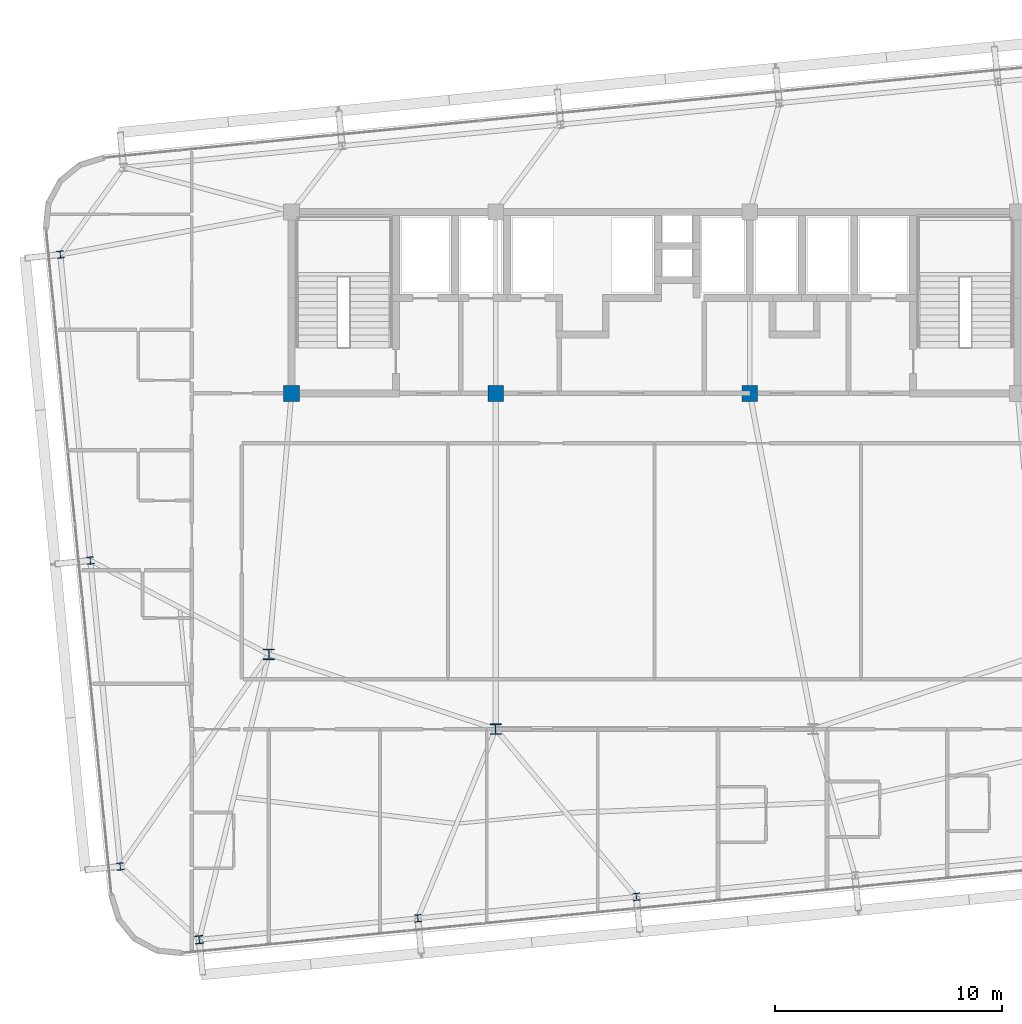
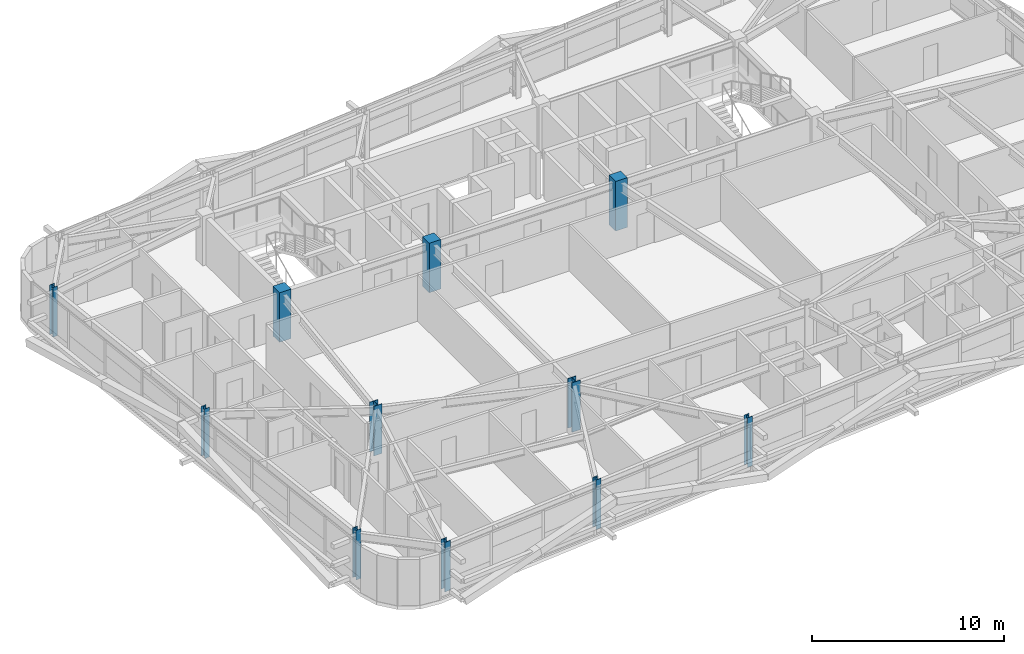
# One storey, part 1 of 53: 11 columns.
"""IFC4 building model written with IfcOpenShell, lengths in metres."""

import ifcopenshell
import ifcopenshell.guid

model = None  # the IFC model being written
_history = None  # IfcOwnerHistory: only IFC2X3 demands one
_inside = {}  # id of a spatial element -> (the spatial element, [elements in it])
_under = {}  # id of a project, library or spatial element -> (it, [spatial elements below it])
_declared = {}  # id of a project -> (the project, [libraries it declares])
_typed = {}  # id of a type object -> (the type object, [elements of that type])
_made_of = {}  # id of a material, layer set ... -> (it, [elements and type objects made of it])


def new_model(schema):
    """Start an empty IFC model of exactly this schema.

    Asked for "IFC4X3", IfcOpenShell would pick the latest addendum, in which some entities
    have other attributes; the version numbers below select the first issue.
    IFC2X3 requires an IfcOwnerHistory on every rooted entity: one is made here for all.
    """
    global model, _history
    if schema == "IFC4X3":
        model = ifcopenshell.file(schema_version=(4, 3, 0, 0))
    else:
        model = ifcopenshell.file(schema=schema)
    _inside.clear()
    _under.clear()
    _declared.clear()
    _typed.clear()
    _made_of.clear()
    _history = None
    if model.schema == "IFC2X3":
        org = make("IfcOrganization", Name="unknown")
        user = make(
            "IfcPersonAndOrganization",
            ThePerson=make("IfcPerson", FamilyName="unknown"),
            TheOrganization=org,
        )
        app = make(
            "IfcApplication",
            ApplicationDeveloper=org,
            Version="unknown",
            ApplicationFullName="unknown",
            ApplicationIdentifier="unknown",
        )
        _history = make(
            "IfcOwnerHistory",
            OwningUser=user,
            OwningApplication=app,
            ChangeAction="ADDED",
            CreationDate=0,
        )
    return model


def make(cls, **values):
    """One entity of the class cls with the attributes given. An attribute that is None is left unset."""
    return model.create_entity(
        cls, **{name: value for name, value in values.items() if value is not None}
    )


def rooted(cls, **values):
    """An entity with a GlobalId (a new one), such as an element, a storey or a relation."""
    return make(cls, GlobalId=ifcopenshell.guid.new(), OwnerHistory=_history, **values)


def si_unit(unit_type, name, prefix=None):
    """IfcSIUnit, for example si_unit("LENGTHUNIT", "METRE", prefix="MILLI")."""
    return make("IfcSIUnit", UnitType=unit_type, Prefix=prefix, Name=name)


def assignment(units):
    """IfcUnitAssignment: the units of a project."""
    return None if units is None else make("IfcUnitAssignment", Units=units)


def point(xyz):
    """IfcCartesianPoint."""
    return None if xyz is None else make("IfcCartesianPoint", Coordinates=xyz)


def direction(xyz):
    """IfcDirection."""
    return None if xyz is None else make("IfcDirection", DirectionRatios=xyz)


def frame(location, z_axis=None, x_axis=None):
    """IfcAxis2Placement3D, a coordinate frame: its origin and axes. An axis left out is left unset."""
    return make(
        "IfcAxis2Placement3D",
        Location=point(location),
        Axis=direction(z_axis),
        RefDirection=direction(x_axis),
    )


def frame_2d(location, x_axis=None):
    """IfcAxis2Placement2D, a coordinate frame in the plane: its origin and x axis."""
    return make(
        "IfcAxis2Placement2D", Location=point(location), RefDirection=direction(x_axis)
    )


def origin():
    """The frame at (0, 0, 0) with its axes left unset."""
    return frame((0.0, 0.0, 0.0))


def origin_2d():
    """The frame at (0, 0) in the plane with its x axis left unset."""
    return frame_2d((0.0, 0.0))


def place(relative_to, where):
    """IfcLocalPlacement: puts the frame where relative to a parent placement (None: the world)."""
    return make(
        "IfcLocalPlacement", PlacementRelTo=relative_to, RelativePlacement=where
    )


def context(
    kind, dimensions, precision=None, world=None, true_north=None, identifier=None
):
    """IfcGeometricRepresentationContext, for example the 3D "Model" context."""
    return make(
        "IfcGeometricRepresentationContext",
        ContextIdentifier=identifier,
        ContextType=kind,
        CoordinateSpaceDimension=dimensions,
        Precision=precision,
        WorldCoordinateSystem=world,
        TrueNorth=true_north,
    )


def subcontext(parent, identifier, kind, view, scale=None):
    """IfcGeometricRepresentationSubContext, for example "Body" below "Model"."""
    return make(
        "IfcGeometricRepresentationSubContext",
        ContextIdentifier=identifier,
        ContextType=kind,
        ParentContext=parent,
        TargetScale=scale,
        TargetView=view,
    )


def project(units=None, contexts=None):
    """IfcProject with its units and contexts."""
    return rooted(
        "IfcProject",
        Name="project",
        RepresentationContexts=contexts,
        UnitsInContext=assignment(units),
    )


def spatial(cls, under=None, at=None, **own):
    """A site, building, storey or space (cls), placed at a placement, below another one or the project."""
    s = rooted(cls, ObjectPlacement=at, **own)
    if under is not None:
        _under.setdefault(under.id(), (under, []))[1].append(s)
    return s


def profile(cls, at=None, kind="AREA", **sizes):
    """A parametric profile (cls). Its sizes go by their IFC names, for example OverallWidth=200.0."""
    return make(cls, ProfileType=kind, Position=at, **sizes)


def rectangle(**sizes):
    """IfcRectangleProfileDef."""
    return profile("IfcRectangleProfileDef", **sizes)


def i_section(**sizes):
    """IfcIShapeProfileDef."""
    return profile("IfcIShapeProfileDef", **sizes)


def extrude(swept, where, along, depth):
    """IfcExtrudedAreaSolid: the profile swept, set in the frame where, extruded along a direction by depth."""
    return make(
        "IfcExtrudedAreaSolid",
        SweptArea=swept,
        Position=where,
        ExtrudedDirection=direction(along),
        Depth=depth,
    )


def shape(context_of_items, identifier, shape_type, items):
    """IfcShapeRepresentation: the items that make up one representation, for example the "Body"."""
    return make(
        "IfcShapeRepresentation",
        ContextOfItems=context_of_items,
        RepresentationIdentifier=identifier,
        RepresentationType=shape_type,
        Items=items,
    )


def source(mapping_origin, context_of_items, identifier, shape_type, items):
    """IfcRepresentationMap: a shape defined once, which mapped items show again and again."""
    return make(
        "IfcRepresentationMap",
        MappingOrigin=mapping_origin,
        MappedRepresentation=shape(context_of_items, identifier, shape_type, items),
    )


def transform(
    local_origin,
    x_axis=None,
    y_axis=None,
    z_axis=None,
    scale=None,
    scale2=None,
    scale3=None,
    uniform=True,
):
    """IfcCartesianTransformationOperator3D, or its non-uniform kind. x_axis, y_axis, z_axis: its Axis1, 2, 3."""
    if uniform:
        return make(
            "IfcCartesianTransformationOperator3D",
            Axis1=direction(x_axis),
            Axis2=direction(y_axis),
            LocalOrigin=point(local_origin),
            Scale=scale,
            Axis3=direction(z_axis),
        )
    return make(
        "IfcCartesianTransformationOperator3DnonUniform",
        Axis1=direction(x_axis),
        Axis2=direction(y_axis),
        LocalOrigin=point(local_origin),
        Scale=scale,
        Axis3=direction(z_axis),
        Scale2=scale2,
        Scale3=scale3,
    )


def mapped(mapping_source, mapping_target):
    """IfcMappedItem: shows the shape of a source again, moved by a transform."""
    return make(
        "IfcMappedItem", MappingSource=mapping_source, MappingTarget=mapping_target
    )


def material(Name=None, Category=None):
    """IfcMaterial."""
    return make("IfcMaterial", Name=Name, Category=Category)


def material_profile(
    of_material, cross_section, Name=None, Category=None, Priority=None
):
    """IfcMaterialProfile: a cross section and its material."""
    return make(
        "IfcMaterialProfile",
        Name=Name,
        Material=of_material,
        Profile=cross_section,
        Priority=Priority,
        Category=Category,
    )


def profile_set(profiles, Name=None, composite=None):
    """IfcMaterialProfileSet."""
    return make(
        "IfcMaterialProfileSet",
        Name=Name,
        MaterialProfiles=profiles,
        CompositeProfile=composite,
    )


def made_of(thing, what):
    """Note that an element or type object is made of a material, layer set ...; save() writes the relation."""
    if what is not None:
        _made_of.setdefault(what.id(), (what, []))[1].append(thing)
    return thing


def type_object(cls, material=None, **own):
    """A type object (cls), such as IfcWallType, which elements share."""
    return made_of(rooted(cls, **own), material)


def element(
    cls,
    number,
    at=None,
    inside=None,
    cuts=None,
    type_object=None,
    material=None,
    context=None,
    identifier="Body",
    shape_type=None,
    held_by="IfcProductDefinitionShape",
    body=None,
    shapes=None,
    **own,
):
    """One element of the class cls, such as IfcWall. Its Tag is "e" and its number.

    at: its placement. inside: the storey or other place that contains it. cuts: it is an
    opening in that element (IfcRelVoidsElement). A single representation is given by context,
    identifier, shape_type and body (its items); several are given by shapes. held_by: the class
    of the entity that holds the representations. save() writes the other relations.
    """
    e = rooted(cls, Tag="e%d" % number, ObjectPlacement=at, **own)
    if body is not None:
        shapes = [shape(context, identifier, shape_type, body)]
    if shapes is not None:
        e.Representation = make(held_by, Representations=shapes)
    if inside is not None:
        _inside.setdefault(inside.id(), (inside, []))[1].append(e)
    if cuts is not None:
        rooted(
            "IfcRelVoidsElement", RelatingBuildingElement=cuts, RelatedOpeningElement=e
        )
    if type_object is not None:
        _typed.setdefault(type_object.id(), (type_object, []))[1].append(e)
    return made_of(e, material)


def aggregate(whole, parts):
    """IfcRelAggregates: a whole, such as a stair, and the parts it consists of."""
    return rooted("IfcRelAggregates", RelatingObject=whole, RelatedObjects=parts)


def save(model, path):
    """Write the relations noted so far, then the file.

    IfcRelAggregates (storeys below a building ...), IfcRelContainedInSpatialStructure (elements
    in a storey), IfcRelDefinesByType, IfcRelAssociatesMaterial and IfcRelDeclares: one each for
    every whole, place, type object, material and project.
    """
    for whole, parts in _under.values():
        aggregate(whole, parts)
    for where, things in _inside.values():
        rooted(
            "IfcRelContainedInSpatialStructure",
            RelatedElements=things,
            RelatingStructure=where,
        )
    for kind, things in _typed.values():
        rooted("IfcRelDefinesByType", RelatedObjects=things, RelatingType=kind)
    for what, things in _made_of.values():
        rooted("IfcRelAssociatesMaterial", RelatedObjects=things, RelatingMaterial=what)
    for by, libraries in _declared.values():
        rooted("IfcRelDeclares", RelatingContext=by, RelatedDefinitions=libraries)
    model.write(path)


model = new_model("IFC4")

# Units and contexts
model_context = context("Model", 3, precision=1e-05, world=origin(), true_north=direction((0.0, 1.0)))
body_context = subcontext(model_context, "Body", "Model", "MODEL_VIEW")
ifc_project = project(units=[si_unit("LENGTHUNIT", "METRE"), si_unit("AREAUNIT", "SQUARE_METRE"), si_unit("VOLUMEUNIT", "CUBIC_METRE"), si_unit("PLANEANGLEUNIT", "RADIAN"), si_unit("MASSUNIT", "GRAM", prefix="KILO")], contexts=[model_context])

# Site, building, storey
site_placement = place(None, origin())
site = spatial("IfcSite", under=ifc_project, at=site_placement, CompositionType="ELEMENT")
building_placement = place(site_placement, origin())
building = spatial("IfcBuilding", under=site, at=building_placement, Name="Taldren Reach Tower", CompositionType="ELEMENT")
storey_placement = place(building_placement, frame((0.0, 0.0, 68.25)))
storey = spatial("IfcBuildingStorey", under=building, at=storey_placement, Name="L20", CompositionType="ELEMENT", Elevation=68.25)

# Columns
ifc_material_1 = material(Name="Steel Gr 350 (350PLUS)", Category="steel")
ifc_material_profile_1 = material_profile(ifc_material_1, i_section(OverallWidth=0.5, OverallDepth=0.464111328125, WebThickness=0.02197265625, FlangeThickness=0.033935546875, at=origin_2d()), Name="500WC340")
ifc_profile_set_1 = profile_set([ifc_material_profile_1], Name="Steel Gr 350 (350PLUS)")
column_type_1 = type_object("IfcColumnType", Name="COL-WC500B", PredefinedType="COLUMN", material=ifc_profile_set_1)
shared_shape_1 = source(origin(), body_context, "Body", "SweptSolid", [
    extrude(i_section(OverallWidth=0.5, OverallDepth=0.464111328125, WebThickness=0.02197265625, FlangeThickness=0.033935546875, at=origin_2d()), origin(), (0.0, 0.0, 1.0), 3.14990234375),
])
for number, where, z_axis, x_axis, name in (
    (1, (28.0, 9.199951171875, 0.0), (0.0, 0.0, 1.0), (1.0, 0.0, 0.0), "Mega column MC-PJW L20"),
    (2, (18.0, 12.5, 0.0), (0.0, 0.0, 1.0), (1.0, 0.0, 0.0), "Mega column MC-SW L20"),
):
    element("IfcColumn", number, at=place(storey_placement, frame(where, z_axis=z_axis, x_axis=x_axis)), inside=storey, type_object=column_type_1, Name=name, PredefinedType="COLUMN", context=body_context, shape_type="MappedRepresentation", body=[
        mapped(shared_shape_1, transform((0.0, 0.0, 0.0), scale=1.0)),
    ])
ifc_material_2 = material(Name="Concrete S65 (65 MPa)", Category="concrete")
ifc_material_profile_2 = material_profile(ifc_material_2, rectangle(XDim=0.699951171875, YDim=0.699951171875, at=origin_2d()), Name="RC-700x700")
ifc_profile_set_2 = profile_set([ifc_material_profile_2], Name="Concrete S65 (65 MPa)")
column_type_2 = type_object("IfcColumnType", Name="COL-RC700", PredefinedType="COLUMN", material=ifc_profile_set_2)
shared_shape_2 = source(origin(), body_context, "Body", "SweptSolid", [
    extrude(rectangle(XDim=0.699951171875, YDim=0.699951171875, at=origin_2d()), origin(), (0.0, 0.0, 1.0), 3.14990234375),
])
for number, where, z_axis, x_axis, name in (
    (3, (19.0, 24.0, 0.0), (0.0, 0.0, 1.0), (1.0, 0.0, 0.0), "Mega column MC-C1 L20"),
    (4, (28.0, 24.0, 0.0), (0.0, 0.0, 1.0), (1.0, 0.0, 0.0), "Mega column MC-C2 L20"),
    (5, (39.199951171875, 24.0, 0.0), (0.0, 0.0, 1.0), (1.0, 0.0, 0.0), "Mega column MC-C3 L20"),
):
    element("IfcColumn", number, at=place(storey_placement, frame(where, z_axis=z_axis, x_axis=x_axis)), inside=storey, type_object=column_type_2, Name=name, PredefinedType="COLUMN", context=body_context, shape_type="MappedRepresentation", body=[
        mapped(shared_shape_2, transform((0.0, 0.0, 0.0), scale=1.0)),
    ])
ifc_material_profile_3 = material_profile(ifc_material_1, i_section(OverallWidth=0.35009765625, OverallDepth=0.35595703125, WebThickness=0.01806640625, FlangeThickness=0.028076171875, at=origin_2d()), Name="350WC197")
ifc_profile_set_3 = profile_set([ifc_material_profile_3], Name="Steel Gr 350 (350PLUS)")
column_type_3 = type_object("IfcColumnType", Name="COL-WC350", PredefinedType="COLUMN", material=ifc_profile_set_3)
shared_shape_3 = source(origin(), body_context, "Body", "SweptSolid", [
    extrude(i_section(OverallWidth=0.35009765625, OverallDepth=0.35595703125, WebThickness=0.01806640625, FlangeThickness=0.028076171875, at=origin_2d()), origin(), (0.0, 0.0, 1.0), 3.14990234375),
])
column_placement = place(storey_placement, frame((14.93408203125, -0.079833984375, 0.0), z_axis=(0.0, 0.0, 1.0), x_axis=(0.995227399982, 0.097582899759, 0.0)))
element("IfcColumn", 6, at=column_placement, inside=storey, type_object=column_type_3, Name="Block B2 perimeter column S1 L20", PredefinedType="COLUMN", context=body_context, shape_type="MappedRepresentation", body=[
    mapped(shared_shape_3, transform((0.0, 0.0, 0.0), scale=1.0)),
])
ifc_material_profile_4 = material_profile(ifc_material_1, i_section(OverallWidth=0.306884765625, OverallDepth=0.31494140625, WebThickness=0.011962890625, FlangeThickness=0.018798828125, at=origin_2d()), Name="310UC118")
ifc_profile_set_4 = profile_set([ifc_material_profile_4], Name="Steel Gr 350 (350PLUS)")
column_type_4 = type_object("IfcColumnType", Name="COL-UC310B", PredefinedType="COLUMN", material=ifc_profile_set_4)
shared_shape_4 = source(origin(), body_context, "Body", "SweptSolid", [
    extrude(i_section(OverallWidth=0.306884765625, OverallDepth=0.31494140625, WebThickness=0.011962890625, FlangeThickness=0.018798828125, at=origin_2d()), origin(), (0.0, 0.0, 1.0), 3.14990234375),
])
for number, where, z_axis, x_axis, name in (
    (7, (24.56787109375, 0.86474609375, 0.0), (0.0, 0.0, 1.0), (0.995227399982, 0.097582899759, 0.0), "Block B2 perimeter column S2 L20"),
    (8, (34.20166015625, 1.809326171875, 0.0), (0.0, 0.0, 1.0), (0.995227399982, 0.097582899759, 0.0), "Block B2 perimeter column S3 L20"),
    (9, (11.452880859375, 3.145751953125, 0.0), (0.0, 0.0, 1.0), (0.995227399982, 0.097582899759, 0.0), "Block B2 perimeter column W1 L20"),
    (10, (10.130615234375, 16.631103515625, 0.0), (0.0, 0.0, 1.0), (0.995227399982, 0.097582899759, 0.0), "Block B2 perimeter column W2 L20"),
    (11, (8.808349609375, 30.116455078125, 0.0), (0.0, 0.0, 1.0), (0.995227399982, 0.097582899759, 0.0), "Block B2 perimeter column W3 L20"),
):
    element("IfcColumn", number, at=place(storey_placement, frame(where, z_axis=z_axis, x_axis=x_axis)), inside=storey, type_object=column_type_4, Name=name, PredefinedType="COLUMN", context=body_context, shape_type="MappedRepresentation", body=[
        mapped(shared_shape_4, transform((0.0, 0.0, 0.0), scale=1.0)),
    ])

save(model, "model.ifc")
